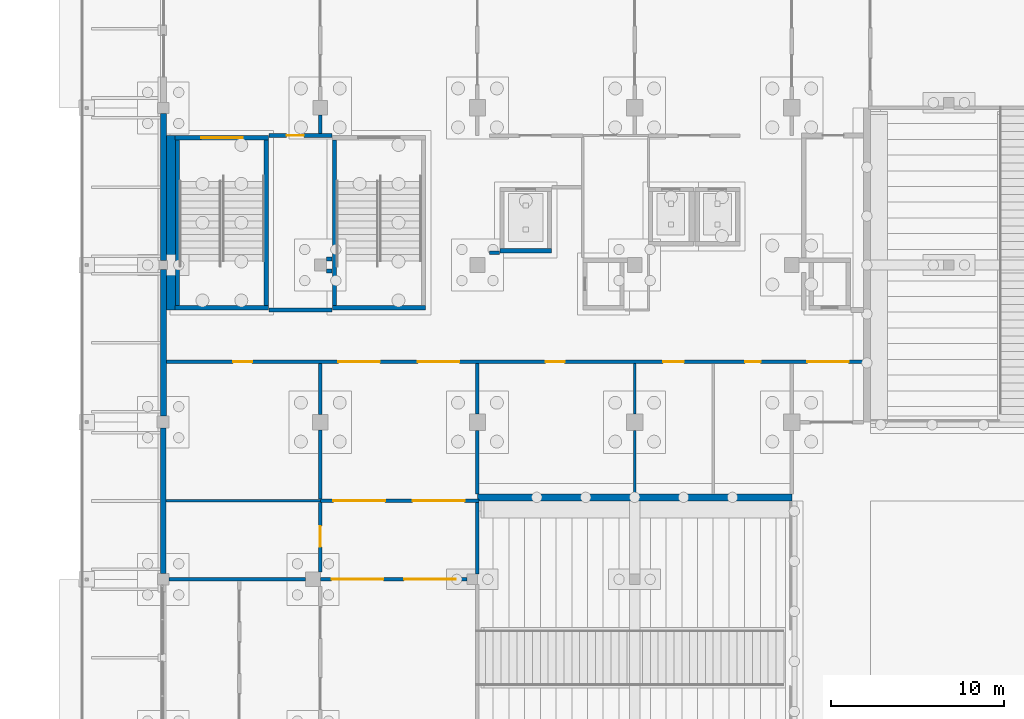
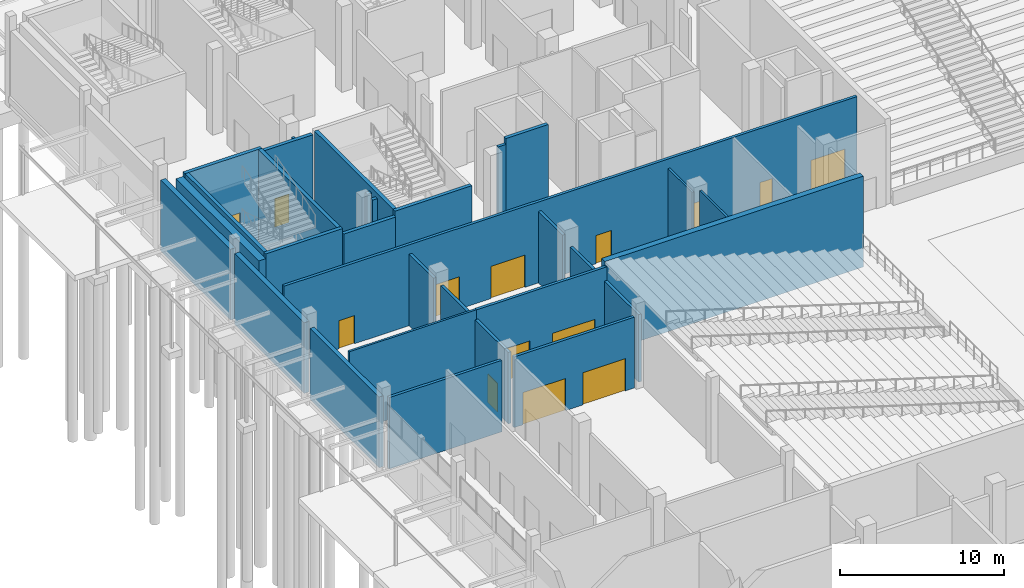
# One storey, part 76 of 129: 31 walls, 14 doors, 14 openings.
"""IFC4 building model written with IfcOpenShell, lengths in metres."""

import ifcopenshell
import ifcopenshell.guid

model = None  # the IFC model being written
_history = None  # IfcOwnerHistory: only IFC2X3 demands one
_inside = {}  # id of a spatial element -> (the spatial element, [elements in it])
_under = {}  # id of a project, library or spatial element -> (it, [spatial elements below it])
_declared = {}  # id of a project -> (the project, [libraries it declares])
_typed = {}  # id of a type object -> (the type object, [elements of that type])
_made_of = {}  # id of a material, layer set ... -> (it, [elements and type objects made of it])


def new_model(schema):
    """Start an empty IFC model of exactly this schema.

    Asked for "IFC4X3", IfcOpenShell would pick the latest addendum, in which some entities
    have other attributes; the version numbers below select the first issue.
    IFC2X3 requires an IfcOwnerHistory on every rooted entity: one is made here for all.
    """
    global model, _history
    if schema == "IFC4X3":
        model = ifcopenshell.file(schema_version=(4, 3, 0, 0))
    else:
        model = ifcopenshell.file(schema=schema)
    _inside.clear()
    _under.clear()
    _declared.clear()
    _typed.clear()
    _made_of.clear()
    _history = None
    if model.schema == "IFC2X3":
        org = make("IfcOrganization", Name="unknown")
        user = make(
            "IfcPersonAndOrganization",
            ThePerson=make("IfcPerson", FamilyName="unknown"),
            TheOrganization=org,
        )
        app = make(
            "IfcApplication",
            ApplicationDeveloper=org,
            Version="unknown",
            ApplicationFullName="unknown",
            ApplicationIdentifier="unknown",
        )
        _history = make(
            "IfcOwnerHistory",
            OwningUser=user,
            OwningApplication=app,
            ChangeAction="ADDED",
            CreationDate=0,
        )
    return model


def make(cls, **values):
    """One entity of the class cls with the attributes given. An attribute that is None is left unset."""
    return model.create_entity(
        cls, **{name: value for name, value in values.items() if value is not None}
    )


def rooted(cls, **values):
    """An entity with a GlobalId (a new one), such as an element, a storey or a relation."""
    return make(cls, GlobalId=ifcopenshell.guid.new(), OwnerHistory=_history, **values)


def si_unit(unit_type, name, prefix=None):
    """IfcSIUnit, for example si_unit("LENGTHUNIT", "METRE", prefix="MILLI")."""
    return make("IfcSIUnit", UnitType=unit_type, Prefix=prefix, Name=name)


def assignment(units):
    """IfcUnitAssignment: the units of a project."""
    return None if units is None else make("IfcUnitAssignment", Units=units)


def point(xyz):
    """IfcCartesianPoint."""
    return None if xyz is None else make("IfcCartesianPoint", Coordinates=xyz)


def direction(xyz):
    """IfcDirection."""
    return None if xyz is None else make("IfcDirection", DirectionRatios=xyz)


def frame(location, z_axis=None, x_axis=None):
    """IfcAxis2Placement3D, a coordinate frame: its origin and axes. An axis left out is left unset."""
    return make(
        "IfcAxis2Placement3D",
        Location=point(location),
        Axis=direction(z_axis),
        RefDirection=direction(x_axis),
    )


def frame_2d(location, x_axis=None):
    """IfcAxis2Placement2D, a coordinate frame in the plane: its origin and x axis."""
    return make(
        "IfcAxis2Placement2D", Location=point(location), RefDirection=direction(x_axis)
    )


def origin():
    """The frame at (0, 0, 0) with its axes left unset."""
    return frame((0.0, 0.0, 0.0))


def place(relative_to, where):
    """IfcLocalPlacement: puts the frame where relative to a parent placement (None: the world)."""
    return make(
        "IfcLocalPlacement", PlacementRelTo=relative_to, RelativePlacement=where
    )


def context(
    kind, dimensions, precision=None, world=None, true_north=None, identifier=None
):
    """IfcGeometricRepresentationContext, for example the 3D "Model" context."""
    return make(
        "IfcGeometricRepresentationContext",
        ContextIdentifier=identifier,
        ContextType=kind,
        CoordinateSpaceDimension=dimensions,
        Precision=precision,
        WorldCoordinateSystem=world,
        TrueNorth=true_north,
    )


def subcontext(parent, identifier, kind, view, scale=None):
    """IfcGeometricRepresentationSubContext, for example "Body" below "Model"."""
    return make(
        "IfcGeometricRepresentationSubContext",
        ContextIdentifier=identifier,
        ContextType=kind,
        ParentContext=parent,
        TargetScale=scale,
        TargetView=view,
    )


def project(units=None, contexts=None):
    """IfcProject with its units and contexts."""
    return rooted(
        "IfcProject",
        Name="project",
        RepresentationContexts=contexts,
        UnitsInContext=assignment(units),
    )


def spatial(cls, under=None, at=None, **own):
    """A site, building, storey or space (cls), placed at a placement, below another one or the project."""
    s = rooted(cls, ObjectPlacement=at, **own)
    if under is not None:
        _under.setdefault(under.id(), (under, []))[1].append(s)
    return s


def profile(cls, at=None, kind="AREA", **sizes):
    """A parametric profile (cls). Its sizes go by their IFC names, for example OverallWidth=200.0."""
    return make(cls, ProfileType=kind, Position=at, **sizes)


def rectangle(**sizes):
    """IfcRectangleProfileDef."""
    return profile("IfcRectangleProfileDef", **sizes)


def extrude(swept, where, along, depth):
    """IfcExtrudedAreaSolid: the profile swept, set in the frame where, extruded along a direction by depth."""
    return make(
        "IfcExtrudedAreaSolid",
        SweptArea=swept,
        Position=where,
        ExtrudedDirection=direction(along),
        Depth=depth,
    )


def shape(context_of_items, identifier, shape_type, items):
    """IfcShapeRepresentation: the items that make up one representation, for example the "Body"."""
    return make(
        "IfcShapeRepresentation",
        ContextOfItems=context_of_items,
        RepresentationIdentifier=identifier,
        RepresentationType=shape_type,
        Items=items,
    )


def material(Name=None, Category=None):
    """IfcMaterial."""
    return make("IfcMaterial", Name=Name, Category=Category)


def layer(
    of_material, thickness, ventilated=None, Name=None, Category=None, Priority=None
):
    """IfcMaterialLayer: one layer of a wall or slab, of a material (None: an air gap)."""
    return make(
        "IfcMaterialLayer",
        Material=of_material,
        LayerThickness=thickness,
        IsVentilated=ventilated,
        Name=Name,
        Category=Category,
        Priority=Priority,
    )


def layer_set(layers, Name=None):
    """IfcMaterialLayerSet."""
    return make("IfcMaterialLayerSet", MaterialLayers=layers, LayerSetName=Name)


def made_of(thing, what):
    """Note that an element or type object is made of a material, layer set ...; save() writes the relation."""
    if what is not None:
        _made_of.setdefault(what.id(), (what, []))[1].append(thing)
    return thing


def type_object(cls, material=None, **own):
    """A type object (cls), such as IfcWallType, which elements share."""
    return made_of(rooted(cls, **own), material)


def element(
    cls,
    number,
    at=None,
    inside=None,
    cuts=None,
    type_object=None,
    material=None,
    context=None,
    identifier="Body",
    shape_type=None,
    held_by="IfcProductDefinitionShape",
    body=None,
    shapes=None,
    **own,
):
    """One element of the class cls, such as IfcWall. Its Tag is "e" and its number.

    at: its placement. inside: the storey or other place that contains it. cuts: it is an
    opening in that element (IfcRelVoidsElement). A single representation is given by context,
    identifier, shape_type and body (its items); several are given by shapes. held_by: the class
    of the entity that holds the representations. save() writes the other relations.
    """
    e = rooted(cls, Tag="e%d" % number, ObjectPlacement=at, **own)
    if body is not None:
        shapes = [shape(context, identifier, shape_type, body)]
    if shapes is not None:
        e.Representation = make(held_by, Representations=shapes)
    if inside is not None:
        _inside.setdefault(inside.id(), (inside, []))[1].append(e)
    if cuts is not None:
        rooted(
            "IfcRelVoidsElement", RelatingBuildingElement=cuts, RelatedOpeningElement=e
        )
    if type_object is not None:
        _typed.setdefault(type_object.id(), (type_object, []))[1].append(e)
    return made_of(e, material)


def fill(opening, filler):
    """IfcRelFillsElement: the door or window that sits in an opening."""
    return rooted(
        "IfcRelFillsElement",
        RelatingOpeningElement=opening,
        RelatedBuildingElement=filler,
    )


def aggregate(whole, parts):
    """IfcRelAggregates: a whole, such as a stair, and the parts it consists of."""
    return rooted("IfcRelAggregates", RelatingObject=whole, RelatedObjects=parts)


def save(model, path):
    """Write the relations noted so far, then the file.

    IfcRelAggregates (storeys below a building ...), IfcRelContainedInSpatialStructure (elements
    in a storey), IfcRelDefinesByType, IfcRelAssociatesMaterial and IfcRelDeclares: one each for
    every whole, place, type object, material and project.
    """
    for whole, parts in _under.values():
        aggregate(whole, parts)
    for where, things in _inside.values():
        rooted(
            "IfcRelContainedInSpatialStructure",
            RelatedElements=things,
            RelatingStructure=where,
        )
    for kind, things in _typed.values():
        rooted("IfcRelDefinesByType", RelatedObjects=things, RelatingType=kind)
    for what, things in _made_of.values():
        rooted("IfcRelAssociatesMaterial", RelatedObjects=things, RelatingMaterial=what)
    for by, libraries in _declared.values():
        rooted("IfcRelDeclares", RelatingContext=by, RelatedDefinitions=libraries)
    model.write(path)


model = new_model("IFC4")

# Units and contexts
model_context = context("Model", 3, precision=1e-05, world=origin(), true_north=direction((0.0, 1.0)))
body_context = subcontext(model_context, "Body", "Model", "MODEL_VIEW")
ifc_project = project(units=[si_unit("LENGTHUNIT", "METRE"), si_unit("AREAUNIT", "SQUARE_METRE"), si_unit("VOLUMEUNIT", "CUBIC_METRE"), si_unit("PLANEANGLEUNIT", "RADIAN"), si_unit("MASSUNIT", "GRAM", prefix="KILO")], contexts=[model_context])

# Site, building, storey
site_placement = place(None, origin())
site = spatial("IfcSite", under=ifc_project, at=site_placement, CompositionType="ELEMENT")
building_placement = place(site_placement, origin())
building = spatial("IfcBuilding", under=site, at=building_placement, Name="Shirokan Park Arena", CompositionType="ELEMENT")
storey_placement = place(building_placement, origin())
storey = spatial("IfcBuildingStorey", under=building, at=storey_placement, Name="L00", CompositionType="ELEMENT", Elevation=0.0)

# Wall
ifc_material_1 = material(Name="Board-formed concrete C40/50", Category="concrete")
ifc_layer_1 = layer(ifc_material_1, 0.1201171875, Name="Board-formed concrete C40/50")
ifc_material_2 = material(Name="Mineral wool insulation")
ifc_layer_2 = layer(ifc_material_2, 0.10009765625, Name="Mineral wool insulation")
ifc_material_3 = material(Name="Concrete C35", Category="concrete")
ifc_layer_3 = layer(ifc_material_3, 0.080078125, Name="Concrete C35")
ifc_layer_set_1 = layer_set([ifc_layer_1, ifc_layer_2, ifc_layer_3], Name="Board-formed concrete C40/50 + Mineral wool insulation + Concrete C35")
wall_type_1 = type_object("IfcWallType", Name="Board-formed concrete base wall 300", PredefinedType="SOLIDWALL", material=ifc_layer_set_1)
wall_1_placement = place(storey_placement, frame((0.0, 72.449951171875, 0.0), z_axis=(0.0, 0.0, 1.0), x_axis=(0.0, -1.0, 0.0)))
element("IfcWall", 1, at=wall_1_placement, inside=storey, type_object=wall_type_1, Name="West facade wall bay 5 L00", PredefinedType="SOLIDWALL", context=body_context, shape_type="SweptSolid", body=[
    extrude(rectangle(XDim=8.425048828125, YDim=0.300048828125, at=frame_2d((4.21240234375, 0.0))), origin(), (0.0, 0.0, 1.0), 5.27001953125),
])

# Wall, opening, door
ifc_material_4 = material(Name="Plaster")
ifc_layer_4 = layer(ifc_material_4, 0.014892578125, Name="Plaster")
ifc_material_5 = material(Name="Concrete blockwork", Category="masonry")
ifc_layer_5 = layer(ifc_material_5, 0.219970703125, Name="Concrete blockwork 220")
ifc_layer_6 = layer(ifc_material_4, 0.014892578125, Name="Plaster")
ifc_layer_set_2 = layer_set([ifc_layer_4, ifc_layer_5, ifc_layer_6], Name="Plaster + Concrete blockwork 220")
wall_type_2 = type_object("IfcWallType", Name="Compartment wall 250", PredefinedType="SOLIDWALL", material=ifc_layer_set_2)
wall_2_placement = place(storey_placement, frame((6.1298828125, 89.39990234375, 0.0), z_axis=(0.0, 0.0, 1.0), x_axis=(1.0, 0.0, 0.0)))
wall_2 = element("IfcWall", 2, at=wall_2_placement, inside=storey, type_object=wall_type_2, Name="Compartment wall 250 L00", PredefinedType="SOLIDWALL", context=body_context, shape_type="SweptSolid", body=[
    extrude(rectangle(XDim=3.64013671875, YDim=0.25, at=frame_2d((1.820068359375, 0.0))), origin(), (0.0, 0.0, 1.0), 6.02001953125),
])
opening_1_placement = place(wall_2_placement, frame((1.02001953125, 0.0, 0.0)))
opening_1 = element("IfcOpeningElement", 3, at=opening_1_placement, cuts=wall_2, Name="Opening D-0020", PredefinedType="OPENING", context=body_context, shape_type="SweptSolid", body=[
    extrude(rectangle(XDim=1.0, YDim=2.10009765625, at=frame_2d((0.5, 1.050048828125))), frame((0.0, 0.135009765625, 0.0), z_axis=(0.0, -1.0, 0.0), x_axis=(1.0, 0.0, 0.0)), (0.0, 0.0, 1.0), 0.27001953125),
])
ifc_material_6 = material(Name="Timber door set, fire resisting", Category="wood")
door_type_1 = type_object("IfcDoorType", Name="Door 1000 x 2100", OperationType="SINGLE_SWING_LEFT", PredefinedType="DOOR", material=ifc_material_6)
door_1_placement = place(opening_1_placement, origin())
door_1 = element("IfcDoor", 4, at=door_1_placement, inside=storey, type_object=door_type_1, Name="Door to Kit Store 0.47 D-0020", OperationType="SINGLE_SWING_RIGHT", OverallHeight=2.10009765625, OverallWidth=1.0, PredefinedType="DOOR", context=body_context, shape_type="SweptSolid", body=[
    extrude(rectangle(XDim=1.0, YDim=2.10009765625, at=frame_2d((0.5, 1.050048828125))), frame((0.0, 0.02490234375, 0.0), z_axis=(0.0, -1.0, 0.0), x_axis=(1.0, 0.0, 0.0)), (0.0, 0.0, 1.0), 0.050048828125),
])
fill(opening_1, door_1)

# Walls
wall_3_placement = place(storey_placement, frame((9.449951171875, 81.550048828125, 0.0), z_axis=(0.0, 0.0, 1.0), x_axis=(1.0, 0.0, 0.0)))
element("IfcWall", 5, at=wall_3_placement, inside=storey, type_object=wall_type_2, Name="Compartment wall 250 L00", PredefinedType="SOLIDWALL", context=body_context, shape_type="SweptSolid", body=[
    extrude(rectangle(XDim=0.320068359375, YDim=0.25, at=frame_2d((0.16015625, 0.0))), origin(), (0.0, 0.0, 1.0), 6.02001953125),
])
wall_4_placement = place(storey_placement, frame((9.77001953125, 79.300048828125, 0.0), z_axis=(0.0, 0.0, 1.0), x_axis=(-1.0, 0.0, 0.0)))
element("IfcWall", 6, at=wall_4_placement, inside=storey, type_object=wall_type_2, Name="Compartment wall 250 L00", PredefinedType="SOLIDWALL", context=body_context, shape_type="SweptSolid", body=[
    extrude(rectangle(XDim=3.64013671875, YDim=0.25, at=frame_2d((1.820068359375, 0.0))), origin(), (0.0, 0.0, 1.0), 6.02001953125),
])
wall_5_placement = place(storey_placement, frame((9.77001953125, 82.25, 0.0), z_axis=(0.0, 0.0, 1.0), x_axis=(-1.0, 0.0, 0.0)))
element("IfcWall", 7, at=wall_5_placement, inside=storey, type_object=wall_type_2, Name="Compartment wall 250 L00", PredefinedType="SOLIDWALL", context=body_context, shape_type="SweptSolid", body=[
    extrude(rectangle(XDim=0.320068359375, YDim=0.25, at=frame_2d((0.16015625, 0.0))), origin(), (0.0, 0.0, 1.0), 6.02001953125),
])

# Wall, openings, doors
ifc_material_7 = material(Name="Gypsum board")
ifc_layer_7 = layer(ifc_material_7, 0.02490234375, Name="Gypsum board, two layers")
ifc_layer_8 = layer(ifc_material_2, 0.14990234375, Name="Mineral wool insulation")
ifc_layer_9 = layer(ifc_material_7, 0.02490234375, Name="Gypsum board, two layers")
ifc_layer_set_3 = layer_set([ifc_layer_7, ifc_layer_8, ifc_layer_9], Name="Gypsum board, two layers + Mineral wool insulation")
wall_type_3 = type_object("IfcWallType", Name="Corridor wall 200", PredefinedType="PARTITIONING", material=ifc_layer_set_3)
wall_6_placement = place(storey_placement, frame((0.199951171875, 76.300048828125, 0.0), z_axis=(0.0, 0.0, 1.0), x_axis=(1.0, 0.0, 0.0)))
wall_6 = element("IfcWall", 8, at=wall_6_placement, inside=storey, type_object=wall_type_3, Name="Corridor wall 200 L00", PredefinedType="PARTITIONING", context=body_context, shape_type="SweptSolid", body=[
    extrude(rectangle(XDim=40.35009765625, YDim=0.199951171875, at=frame_2d((20.175048828125, 0.0))), origin(), (0.0, 0.0, 1.0), 6.02001953125),
])
opening_2_placement = place(wall_6_placement, frame((3.85009765625, 0.0, 0.0)))
opening_2 = element("IfcOpeningElement", 9, at=opening_2_placement, cuts=wall_6, Name="Opening D-0023", PredefinedType="OPENING", context=body_context, shape_type="SweptSolid", body=[
    extrude(rectangle(XDim=1.10009765625, YDim=2.10009765625, at=frame_2d((0.550048828125, 1.050048828125))), frame((0.0, 0.10986328125, 0.0), z_axis=(0.0, -1.0, 0.0), x_axis=(1.0, 0.0, 0.0)), (0.0, 0.0, 1.0), 0.219970703125),
])
opening_3_placement = place(wall_6_placement, frame((21.949951171875, 0.0, 0.0)))
opening_3 = element("IfcOpeningElement", 10, at=opening_3_placement, cuts=wall_6, Name="Opening D-0024", PredefinedType="OPENING", context=body_context, shape_type="SweptSolid", body=[
    extrude(rectangle(XDim=1.10009765625, YDim=2.10009765625, at=frame_2d((0.550048828125, 1.050048828125))), frame((0.0, 0.10986328125, 0.0), z_axis=(0.0, -1.0, 0.0), x_axis=(1.0, 0.0, 0.0)), (0.0, 0.0, 1.0), 0.219970703125),
])
opening_4_placement = place(wall_6_placement, frame((28.75, 0.0, 0.0)))
opening_4 = element("IfcOpeningElement", 11, at=opening_4_placement, cuts=wall_6, Name="Opening D-0025", PredefinedType="OPENING", context=body_context, shape_type="SweptSolid", body=[
    extrude(rectangle(XDim=1.199951171875, YDim=2.10009765625, at=frame_2d((0.60009765625, 1.050048828125))), frame((0.0, 0.10986328125, 0.0), z_axis=(0.0, -1.0, 0.0), x_axis=(1.0, 0.0, 0.0)), (0.0, 0.0, 1.0), 0.219970703125),
])
opening_5_placement = place(wall_6_placement, frame((33.5, 0.0, 0.0)))
opening_5 = element("IfcOpeningElement", 12, at=opening_5_placement, cuts=wall_6, Name="Opening D-0026", PredefinedType="OPENING", context=body_context, shape_type="SweptSolid", body=[
    extrude(rectangle(XDim=0.89990234375, YDim=2.0, at=frame_2d((0.449951171875, 1.0))), frame((0.0, 0.10986328125, 0.0), z_axis=(0.0, -1.0, 0.0), x_axis=(1.0, 0.0, 0.0)), (0.0, 0.0, 1.0), 0.219970703125),
])
opening_6_placement = place(wall_6_placement, frame((14.550048828125, 0.0, 0.0)))
opening_6 = element("IfcOpeningElement", 13, at=opening_6_placement, cuts=wall_6, Name="Opening D-0087", PredefinedType="OPENING", context=body_context, shape_type="SweptSolid", body=[
    extrude(rectangle(XDim=2.39990234375, YDim=2.39990234375, at=frame_2d((1.199951171875, 1.199951171875))), frame((0.0, 0.10986328125, 0.0), z_axis=(0.0, -1.0, 0.0), x_axis=(1.0, 0.0, 0.0)), (0.0, 0.0, 1.0), 0.219970703125),
])
opening_7_placement = place(wall_6_placement, frame((9.949951171875, 0.0, 0.0)))
opening_7 = element("IfcOpeningElement", 14, at=opening_7_placement, cuts=wall_6, Name="Opening D-0088", PredefinedType="OPENING", context=body_context, shape_type="SweptSolid", body=[
    extrude(rectangle(XDim=2.39990234375, YDim=2.39990234375, at=frame_2d((1.199951171875, 1.199951171875))), frame((0.0, 0.10986328125, 0.0), z_axis=(0.0, -1.0, 0.0), x_axis=(1.0, 0.0, 0.0)), (0.0, 0.0, 1.0), 0.219970703125),
])
opening_8_placement = place(wall_6_placement, frame((37.10009765625, 0.0, 0.0)))
opening_8 = element("IfcOpeningElement", 15, at=opening_8_placement, cuts=wall_6, Name="Opening D-0089", PredefinedType="OPENING", context=body_context, shape_type="SweptSolid", body=[
    extrude(rectangle(XDim=2.39990234375, YDim=2.39990234375, at=frame_2d((1.199951171875, 1.199951171875))), frame((0.0, 0.10986328125, 0.0), z_axis=(0.0, -1.0, 0.0), x_axis=(1.0, 0.0, 0.0)), (0.0, 0.0, 1.0), 0.219970703125),
])
ifc_material_8 = material(Name="Steel door set, fire resisting", Category="steel")
door_type_2 = type_object("IfcDoorType", Name="Double door 2400 x 2400", OperationType="DOUBLE_DOOR_SINGLE_SWING", PredefinedType="DOOR", material=ifc_material_8)
door_2_placement = place(opening_6_placement, origin())
door_2 = element("IfcDoor", 16, at=door_2_placement, inside=storey, type_object=door_type_2, Name="Door between Service Corridor 4.0 and Concourse Link 4.0 D-0087", OperationType="DOUBLE_DOOR_SINGLE_SWING", OverallHeight=2.39990234375, OverallWidth=2.39990234375, PredefinedType="DOOR", context=body_context, shape_type="SweptSolid", body=[
    extrude(rectangle(XDim=2.39990234375, YDim=2.39990234375, at=frame_2d((1.199951171875, 1.199951171875))), frame((0.0, 0.02490234375, 0.0), z_axis=(0.0, -1.0, 0.0), x_axis=(1.0, 0.0, 0.0)), (0.0, 0.0, 1.0), 0.050048828125),
])
fill(opening_6, door_2)
door_3_placement = place(opening_7_placement, origin())
door_3 = element("IfcDoor", 17, at=door_3_placement, inside=storey, type_object=door_type_2, Name="Door between Service Corridor 4.0 and Concourse Link 4.0 D-0088", OperationType="DOUBLE_DOOR_SINGLE_SWING", OverallHeight=2.39990234375, OverallWidth=2.39990234375, PredefinedType="DOOR", context=body_context, shape_type="SweptSolid", body=[
    extrude(rectangle(XDim=2.39990234375, YDim=2.39990234375, at=frame_2d((1.199951171875, 1.199951171875))), frame((0.0, 0.02490234375, 0.0), z_axis=(0.0, -1.0, 0.0), x_axis=(1.0, 0.0, 0.0)), (0.0, 0.0, 1.0), 0.050048828125),
])
fill(opening_7, door_3)
door_4_placement = place(opening_8_placement, origin())
door_4 = element("IfcDoor", 18, at=door_4_placement, inside=storey, type_object=door_type_2, Name="Door between Service Corridor 4.0 and Team Corridor 4.0 D-0089", OperationType="DOUBLE_DOOR_SINGLE_SWING", OverallHeight=2.39990234375, OverallWidth=2.39990234375, PredefinedType="DOOR", context=body_context, shape_type="SweptSolid", body=[
    extrude(rectangle(XDim=2.39990234375, YDim=2.39990234375, at=frame_2d((1.199951171875, 1.199951171875))), frame((0.0, 0.02490234375, 0.0), z_axis=(0.0, -1.0, 0.0), x_axis=(1.0, 0.0, 0.0)), (0.0, 0.0, 1.0), 0.050048828125),
])
fill(opening_8, door_4)
door_type_3 = type_object("IfcDoorType", Name="Dressing room door 1100 x 2100", OperationType="SINGLE_SWING_LEFT", PredefinedType="DOOR", material=ifc_material_6)
door_5_placement = place(opening_2_placement, origin())
door_5 = element("IfcDoor", 19, at=door_5_placement, inside=storey, type_object=door_type_3, Name="Door to Home Team Dressing Room 0.41 D-0023", OperationType="SINGLE_SWING_LEFT", OverallHeight=2.10009765625, OverallWidth=1.10009765625, PredefinedType="DOOR", context=body_context, shape_type="SweptSolid", body=[
    extrude(rectangle(XDim=1.10009765625, YDim=2.10009765625, at=frame_2d((0.550048828125, 1.050048828125))), frame((0.0, 0.02490234375, 0.0), z_axis=(0.0, -1.0, 0.0), x_axis=(1.0, 0.0, 0.0)), (0.0, 0.0, 1.0), 0.050048828125),
])
fill(opening_2, door_5)
door_6_placement = place(opening_3_placement, origin())
door_6 = element("IfcDoor", 20, at=door_6_placement, inside=storey, type_object=door_type_3, Name="Door to Home Team Locker Room 0.42 D-0024", OperationType="SINGLE_SWING_LEFT", OverallHeight=2.10009765625, OverallWidth=1.10009765625, PredefinedType="DOOR", context=body_context, shape_type="SweptSolid", body=[
    extrude(rectangle(XDim=1.10009765625, YDim=2.10009765625, at=frame_2d((0.550048828125, 1.050048828125))), frame((0.0, 0.02490234375, 0.0), z_axis=(0.0, -1.0, 0.0), x_axis=(1.0, 0.0, 0.0)), (0.0, 0.0, 1.0), 0.050048828125),
])
fill(opening_3, door_6)
door_type_4 = type_object("IfcDoorType", Name="Medical room door 1200 x 2100", OperationType="SINGLE_SWING_LEFT", PredefinedType="DOOR", material=ifc_material_6)
door_7_placement = place(opening_4_placement, origin())
door_7 = element("IfcDoor", 21, at=door_7_placement, inside=storey, type_object=door_type_4, Name="Door to Home Team Medical Room 0.43 D-0025", OperationType="SINGLE_SWING_LEFT", OverallHeight=2.10009765625, OverallWidth=1.199951171875, PredefinedType="DOOR", context=body_context, shape_type="SweptSolid", body=[
    extrude(rectangle(XDim=1.199951171875, YDim=2.10009765625, at=frame_2d((0.60009765625, 1.050048828125))), frame((0.0, 0.02490234375, 0.0), z_axis=(0.0, -1.0, 0.0), x_axis=(1.0, 0.0, 0.0)), (0.0, 0.0, 1.0), 0.050048828125),
])
fill(opening_4, door_7)
door_type_5 = type_object("IfcDoorType", Name="Officials room door 900 x 2000", OperationType="SINGLE_SWING_LEFT", PredefinedType="DOOR", material=ifc_material_6)
door_8_placement = place(opening_5_placement, origin())
door_8 = element("IfcDoor", 22, at=door_8_placement, inside=storey, type_object=door_type_5, Name="Door to Match Officials Room 0.44 D-0026", OperationType="SINGLE_SWING_RIGHT", OverallHeight=2.0, OverallWidth=0.89990234375, PredefinedType="DOOR", context=body_context, shape_type="SweptSolid", body=[
    extrude(rectangle(XDim=0.89990234375, YDim=2.0, at=frame_2d((0.449951171875, 1.0))), frame((0.0, 0.02490234375, 0.0), z_axis=(0.0, -1.0, 0.0), x_axis=(1.0, 0.0, 0.0)), (0.0, 0.0, 1.0), 0.050048828125),
])
fill(opening_5, door_8)

# Wall
wall_7_placement = place(storey_placement, frame((0.324951171875, 63.699951171875, 0.0), z_axis=(0.0, 0.0, 1.0), x_axis=(1.0, 0.0, 0.0)))
element("IfcWall", 23, at=wall_7_placement, inside=storey, type_object=wall_type_3, Name="Corridor wall 200 L00", PredefinedType="PARTITIONING", context=body_context, shape_type="SweptSolid", body=[
    extrude(rectangle(XDim=7.925048828125, YDim=0.199951171875, at=frame_2d((3.96240234375, 0.0))), origin(), (0.0, 0.0, 1.0), 5.320068359375),
])

# Wall, opening, door
wall_8_placement = place(storey_placement, frame((9.10009765625, 64.125, 0.0), z_axis=(0.0, 0.0, 1.0), x_axis=(0.0, 1.0, 0.0)))
wall_8 = element("IfcWall", 24, at=wall_8_placement, inside=storey, type_object=wall_type_3, Name="Corridor wall 200 L00", PredefinedType="PARTITIONING", context=body_context, shape_type="SweptSolid", body=[
    extrude(rectangle(XDim=4.02490234375, YDim=0.199951171875, at=frame_2d((2.012451171875, 0.0))), origin(), (0.0, 0.0, 1.0), 5.320068359375),
])
opening_9_placement = place(wall_8_placement, frame((1.449951171875, 0.0, 0.0)))
opening_9 = element("IfcOpeningElement", 25, at=opening_9_placement, cuts=wall_8, Name="Opening D-0036", PredefinedType="OPENING", context=body_context, shape_type="SweptSolid", body=[
    extrude(rectangle(XDim=1.199951171875, YDim=2.10009765625, at=frame_2d((0.60009765625, 1.050048828125))), frame((0.0, 0.10986328125, 0.0), z_axis=(0.0, -1.0, 0.0), x_axis=(1.0, 0.0, 0.0)), (0.0, 0.0, 1.0), 0.219970703125),
])
door_9_placement = place(opening_9_placement, origin())
door_9 = element("IfcDoor", 26, at=door_9_placement, inside=storey, type_object=door_type_4, Name="Door to First Aid Room 0.42 D-0036", OperationType="SINGLE_SWING_LEFT", OverallHeight=2.10009765625, OverallWidth=1.199951171875, PredefinedType="DOOR", context=body_context, shape_type="SweptSolid", body=[
    extrude(rectangle(XDim=1.199951171875, YDim=2.10009765625, at=frame_2d((0.60009765625, 1.050048828125))), frame((0.0, 0.02490234375, 0.0), z_axis=(0.0, -1.0, 0.0), x_axis=(1.0, 0.0, 0.0)), (0.0, 0.0, 1.0), 0.050048828125),
])
fill(opening_9, door_9)

# Walls
wall_9_placement = place(storey_placement, frame((9.10009765625, 72.35009765625, 0.0), z_axis=(0.0, 0.0, 1.0), x_axis=(0.0, -1.0, 0.0)))
element("IfcWall", 27, at=wall_9_placement, inside=storey, type_object=wall_type_3, Name="Corridor wall 200 L00", PredefinedType="PARTITIONING", context=body_context, shape_type="SweptSolid", body=[
    extrude(rectangle(XDim=4.0, YDim=0.199951171875, at=frame_2d((2.0, 0.0))), origin(), (0.0, 0.0, 1.0), 5.320068359375),
])
wall_10_placement = place(storey_placement, frame((9.10009765625, 76.199951171875, 0.0), z_axis=(0.0, 0.0, 1.0), x_axis=(0.0, -1.0, 0.0)))
element("IfcWall", 28, at=wall_10_placement, inside=storey, type_object=wall_type_3, Name="Corridor wall 200 L00", PredefinedType="PARTITIONING", context=body_context, shape_type="SweptSolid", body=[
    extrude(rectangle(XDim=2.949951171875, YDim=0.199951171875, at=frame_2d((1.47509765625, 0.0))), origin(), (0.0, 0.0, 1.0), 5.320068359375),
])
wall_11_placement = place(storey_placement, frame((9.10009765625, 90.574951171875, 0.0), z_axis=(0.0, 0.0, 1.0), x_axis=(0.0, -1.0, 0.0)))
element("IfcWall", 29, at=wall_11_placement, inside=storey, type_object=wall_type_3, Name="Corridor wall 200 L00", PredefinedType="PARTITIONING", context=body_context, shape_type="SweptSolid", body=[
    extrude(rectangle(XDim=1.050048828125, YDim=0.199951171875, at=frame_2d((0.52490234375, 0.0))), origin(), (0.0, 0.0, 1.0), 5.320068359375),
])

# Wall, openings, doors
wall_12_placement = place(storey_placement, frame((17.60009765625, 63.699951171875, 0.0), z_axis=(0.0, 0.0, 1.0), x_axis=(-1.0, 0.0, 0.0)))
wall_12 = element("IfcWall", 30, at=wall_12_placement, inside=storey, type_object=wall_type_3, Name="Corridor wall 200 L00", PredefinedType="PARTITIONING", context=body_context, shape_type="SweptSolid", body=[
    extrude(rectangle(XDim=8.5, YDim=0.199951171875, at=frame_2d((4.25, 0.0))), origin(), (0.0, 0.0, 1.0), 5.27001953125),
])
opening_10_placement = place(wall_12_placement, frame((0.64990234375, 0.0, 0.0)))
opening_10 = element("IfcOpeningElement", 31, at=opening_10_placement, cuts=wall_12, Name="Opening D-0155", PredefinedType="OPENING", context=body_context, shape_type="SweptSolid", body=[
    extrude(rectangle(XDim=3.0, YDim=2.39990234375, at=frame_2d((1.5, 1.199951171875))), frame((0.0, 0.10986328125, 0.0), z_axis=(0.0, -1.0, 0.0), x_axis=(1.0, 0.0, 0.0)), (0.0, 0.0, 1.0), 0.219970703125),
])
opening_11_placement = place(wall_12_placement, frame((4.85009765625, 0.0, 0.0)))
opening_11 = element("IfcOpeningElement", 32, at=opening_11_placement, cuts=wall_12, Name="Opening D-0156", PredefinedType="OPENING", context=body_context, shape_type="SweptSolid", body=[
    extrude(rectangle(XDim=3.0, YDim=2.39990234375, at=frame_2d((1.5, 1.199951171875))), frame((0.0, 0.10986328125, 0.0), z_axis=(0.0, -1.0, 0.0), x_axis=(1.0, 0.0, 0.0)), (0.0, 0.0, 1.0), 0.219970703125),
])
ifc_material_9 = material(Name="Glazed steel door set, fire resisting", Category="steel")
door_type_6 = type_object("IfcDoorType", Name="Concourse door 3000 x 2400", OperationType="DOUBLE_DOOR_SINGLE_SWING", PredefinedType="DOOR", material=ifc_material_9)
door_10_placement = place(opening_10_placement, origin())
door_10 = element("IfcDoor", 33, at=door_10_placement, inside=storey, type_object=door_type_6, Name="Door between Entrance Concourse E3 and Ticket Hall North E3 D-0155", OperationType="DOUBLE_DOOR_SINGLE_SWING", OverallHeight=2.39990234375, OverallWidth=3.0, PredefinedType="DOOR", context=body_context, shape_type="SweptSolid", body=[
    extrude(rectangle(XDim=3.0, YDim=2.39990234375, at=frame_2d((1.5, 1.199951171875))), frame((0.0, 0.02490234375, 0.0), z_axis=(0.0, -1.0, 0.0), x_axis=(1.0, 0.0, 0.0)), (0.0, 0.0, 1.0), 0.050048828125),
])
fill(opening_10, door_10)
door_11_placement = place(opening_11_placement, origin())
door_11 = element("IfcDoor", 34, at=door_11_placement, inside=storey, type_object=door_type_6, Name="Door between Entrance Concourse E3 and Ticket Hall North E3 D-0156", OperationType="DOUBLE_DOOR_SINGLE_SWING", OverallHeight=2.39990234375, OverallWidth=3.0, PredefinedType="DOOR", context=body_context, shape_type="SweptSolid", body=[
    extrude(rectangle(XDim=3.0, YDim=2.39990234375, at=frame_2d((1.5, 1.199951171875))), frame((0.0, 0.02490234375, 0.0), z_axis=(0.0, -1.0, 0.0), x_axis=(1.0, 0.0, 0.0)), (0.0, 0.0, 1.0), 0.050048828125),
])
fill(opening_11, door_11)

# Walls
wall_13_placement = place(storey_placement, frame((18.199951171875, 68.14990234375, 0.0), z_axis=(0.0, 0.0, 1.0), x_axis=(0.0, -1.0, 0.0)))
element("IfcWall", 35, at=wall_13_placement, inside=storey, type_object=wall_type_3, Name="Corridor wall 200 L00", PredefinedType="PARTITIONING", context=body_context, shape_type="SweptSolid", body=[
    extrude(rectangle(XDim=4.14990234375, YDim=0.199951171875, at=frame_2d((2.074951171875, 0.0))), origin(), (0.0, 0.0, 1.0), 5.02001953125),
])
wall_14_placement = place(storey_placement, frame((18.199951171875, 68.64990234375, 0.0), z_axis=(0.0, 0.0, 1.0), x_axis=(0.0, 1.0, 0.0)))
element("IfcWall", 36, at=wall_14_placement, inside=storey, type_object=wall_type_3, Name="Corridor wall 200 L00", PredefinedType="PARTITIONING", context=body_context, shape_type="SweptSolid", body=[
    extrude(rectangle(XDim=3.675048828125, YDim=0.199951171875, at=frame_2d((1.83740234375, 0.0))), origin(), (0.0, 0.0, 1.0), 5.02001953125),
])
wall_15_placement = place(storey_placement, frame((18.199951171875, 73.27490234375, 0.0), z_axis=(0.0, 0.0, 1.0), x_axis=(0.0, 1.0, 0.0)))
element("IfcWall", 37, at=wall_15_placement, inside=storey, type_object=wall_type_3, Name="Corridor wall 200 L00", PredefinedType="PARTITIONING", context=body_context, shape_type="SweptSolid", body=[
    extrude(rectangle(XDim=2.925048828125, YDim=0.199951171875, at=frame_2d((1.46240234375, 0.0))), origin(), (0.0, 0.0, 1.0), 5.320068359375),
])

# Wall, openings, doors
wall_16_placement = place(storey_placement, frame((18.300048828125, 68.25, 0.0), z_axis=(0.0, 0.0, 1.0), x_axis=(-1.0, 0.0, 0.0)))
wall_16 = element("IfcWall", 38, at=wall_16_placement, inside=storey, type_object=wall_type_3, Name="Corridor wall 200 L00", PredefinedType="PARTITIONING", context=body_context, shape_type="SweptSolid", body=[
    extrude(rectangle(XDim=9.199951171875, YDim=0.199951171875, at=frame_2d((4.60009765625, 0.0))), origin(), (0.0, 0.0, 1.0), 6.02001953125),
])
opening_12_placement = place(wall_16_placement, frame((0.85009765625, 0.0, 0.0)))
opening_12 = element("IfcOpeningElement", 39, at=opening_12_placement, cuts=wall_16, Name="Opening D-0103", PredefinedType="OPENING", context=body_context, shape_type="SweptSolid", body=[
    extrude(rectangle(XDim=3.0, YDim=2.39990234375, at=frame_2d((1.5, 1.199951171875))), frame((0.0, 0.10986328125, 0.0), z_axis=(0.0, -1.0, 0.0), x_axis=(1.0, 0.0, 0.0)), (0.0, 0.0, 1.0), 0.219970703125),
])
opening_13_placement = place(wall_16_placement, frame((5.449951171875, 0.0, 0.0)))
opening_13 = element("IfcOpeningElement", 40, at=opening_13_placement, cuts=wall_16, Name="Opening D-0104", PredefinedType="OPENING", context=body_context, shape_type="SweptSolid", body=[
    extrude(rectangle(XDim=3.0, YDim=2.39990234375, at=frame_2d((1.5, 1.199951171875))), frame((0.0, 0.10986328125, 0.0), z_axis=(0.0, -1.0, 0.0), x_axis=(1.0, 0.0, 0.0)), (0.0, 0.0, 1.0), 0.219970703125),
])
door_12_placement = place(opening_12_placement, origin())
door_12 = element("IfcDoor", 41, at=door_12_placement, inside=storey, type_object=door_type_6, Name="Door between Concourse Link 4.0 and Ticket Hall North E3 D-0103", OperationType="DOUBLE_DOOR_SINGLE_SWING", OverallHeight=2.39990234375, OverallWidth=3.0, PredefinedType="DOOR", context=body_context, shape_type="SweptSolid", body=[
    extrude(rectangle(XDim=3.0, YDim=2.39990234375, at=frame_2d((1.5, 1.199951171875))), frame((0.0, 0.02490234375, 0.0), z_axis=(0.0, -1.0, 0.0), x_axis=(1.0, 0.0, 0.0)), (0.0, 0.0, 1.0), 0.050048828125),
])
fill(opening_12, door_12)
door_13_placement = place(opening_13_placement, origin())
door_13 = element("IfcDoor", 42, at=door_13_placement, inside=storey, type_object=door_type_6, Name="Door between Concourse Link 4.0 and Ticket Hall North E3 D-0104", OperationType="DOUBLE_DOOR_SINGLE_SWING", OverallHeight=2.39990234375, OverallWidth=3.0, PredefinedType="DOOR", context=body_context, shape_type="SweptSolid", body=[
    extrude(rectangle(XDim=3.0, YDim=2.39990234375, at=frame_2d((1.5, 1.199951171875))), frame((0.0, 0.02490234375, 0.0), z_axis=(0.0, -1.0, 0.0), x_axis=(1.0, 0.0, 0.0)), (0.0, 0.0, 1.0), 0.050048828125),
])
fill(opening_13, door_13)

# Walls
wall_17_placement = place(storey_placement, frame((19.469970703125, 82.60009765625, 0.0), z_axis=(0.0, 0.0, 1.0), x_axis=(-1.0, 0.0, 0.0)))
element("IfcWall", 43, at=wall_17_placement, inside=storey, type_object=wall_type_3, Name="Corridor wall 200 L00", PredefinedType="PARTITIONING", context=body_context, shape_type="SweptSolid", body=[
    extrude(rectangle(XDim=0.570068359375, YDim=0.199951171875, at=frame_2d((0.28515625, 0.0))), origin(), (0.0, 0.0, 1.0), 6.02001953125),
])
ifc_material_10 = material(Name="Cedar cladding")
ifc_layer_10 = layer(ifc_material_10, 0.030029296875, Name="Cedar cladding")
ifc_layer_11 = layer(ifc_material_2, 0.10009765625, Name="Mineral wool insulation")
ifc_layer_12 = layer(ifc_material_3, 0.199951171875, Name="Concrete C35")
ifc_material_11 = material(Name="Gypsum board lining")
ifc_layer_13 = layer(ifc_material_11, 0.02001953125, Name="Gypsum board lining")
ifc_layer_set_4 = layer_set([ifc_layer_10, ifc_layer_11, ifc_layer_12, ifc_layer_13], Name="Cedar cladding + Mineral wool insulation + Concrete C35 + Gypsum board lining")
wall_type_4 = type_object("IfcWallType", Name="Insulated tower wall 350", PredefinedType="SOLIDWALL", material=ifc_layer_set_4)
wall_18_placement = place(storey_placement, frame((0.02490234375, 90.675048828125, 0.0), z_axis=(0.0, 0.0, 1.0), x_axis=(0.0, -1.0, 0.0)))
element("IfcWall", 44, at=wall_18_placement, inside=storey, type_object=wall_type_4, Name="West facade wall bay 3 L00", PredefinedType="SOLIDWALL", context=body_context, shape_type="SweptSolid", body=[
    extrude(rectangle(XDim=8.525146484375, YDim=0.35009765625, at=frame_2d((4.2626953125, 0.0))), origin(), (0.0, 0.0, 1.0), 5.27001953125),
])
wall_19_placement = place(storey_placement, frame((0.02490234375, 81.64990234375, 0.0), z_axis=(0.0, 0.0, 1.0), x_axis=(0.0, -1.0, 0.0)))
element("IfcWall", 45, at=wall_19_placement, inside=storey, type_object=wall_type_4, Name="West facade wall bay 4 L00", PredefinedType="SOLIDWALL", context=body_context, shape_type="SweptSolid", body=[
    extrude(rectangle(XDim=8.5, YDim=0.35009765625, at=frame_2d((4.25, 0.0))), origin(), (0.0, 0.0, 1.0), 5.27001953125),
])
ifc_layer_14 = layer(ifc_material_3, 0.39990234375)
ifc_layer_set_5 = layer_set([ifc_layer_14], Name="Concrete C35 400 mm")
wall_type_5 = type_object("IfcWallType", Name="RC flank wall 400", PredefinedType="SHEAR", material=ifc_layer_set_5)
wall_20_placement = place(storey_placement, frame((36.39990234375, 68.449951171875, -0.39990234375), z_axis=(0.0, 0.0, 1.0), x_axis=(-1.0, 0.0, 0.0)))
element("IfcWall", 46, at=wall_20_placement, inside=storey, type_object=wall_type_5, Name="Flank wall W2 L00", PredefinedType="SHEAR", context=body_context, shape_type="SweptSolid", body=[
    extrude(rectangle(XDim=18.199951171875, YDim=0.39990234375, at=frame_2d((9.10009765625, 0.0))), origin(), (0.0, 0.0, 1.0), 6.77001953125),
])
ifc_material_12 = material(Name="Concrete C40/50", Category="concrete")
ifc_layer_15 = layer(ifc_material_12, 0.25)
ifc_layer_set_6 = layer_set([ifc_layer_15], Name="Concrete C40/50 250 mm")
wall_type_6 = type_object("IfcWallType", Name="RC shear wall 250", PredefinedType="SHEAR", material=ifc_layer_set_6)
wall_21_placement = place(storey_placement, frame((22.5, 82.72509765625, -1.39990234375), z_axis=(0.0, 0.0, 1.0), x_axis=(-1.0, 0.0, 0.0)))
element("IfcWall", 47, at=wall_21_placement, inside=storey, type_object=wall_type_6, Name="Shaft wall Service Lift 4 S L00", PredefinedType="SHEAR", context=body_context, shape_type="SweptSolid", body=[
    extrude(rectangle(XDim=3.0, YDim=0.25, at=frame_2d((1.5, 0.0))), origin(), (0.0, 0.0, 1.0), 7.77001953125),
])
wall_22_placement = place(storey_placement, frame((6.10009765625, 79.425048828125, -0.39990234375), z_axis=(0.0, 0.0, 1.0), x_axis=(-1.0, 0.0, 0.0)))
element("IfcWall", 48, at=wall_22_placement, inside=storey, type_object=wall_type_6, Name="Shaft wall Exit Stair 4.E S L00", PredefinedType="SHEAR", context=body_context, shape_type="SweptSolid", body=[
    extrude(rectangle(XDim=5.400146484375, YDim=0.25, at=frame_2d((2.7001953125, 0.0))), origin(), (0.0, 0.0, 1.0), 6.77001953125),
])

# Wall, opening, door
wall_23_placement = place(storey_placement, frame((6.10009765625, 89.27490234375, -0.39990234375), z_axis=(0.0, 0.0, 1.0), x_axis=(-1.0, 0.0, 0.0)))
wall_23 = element("IfcWall", 49, at=wall_23_placement, inside=storey, type_object=wall_type_6, Name="Shaft wall Exit Stair 4.E N L00", PredefinedType="SHEAR", context=body_context, shape_type="SweptSolid", body=[
    extrude(rectangle(XDim=5.400146484375, YDim=0.25, at=frame_2d((2.7001953125, 0.0))), origin(), (0.0, 0.0, 1.0), 6.77001953125),
])
opening_14_placement = place(wall_23_placement, frame((1.5, 0.0, 0.39990234375)))
opening_14 = element("IfcOpeningElement", 50, at=opening_14_placement, cuts=wall_23, Name="Opening D-0186", PredefinedType="OPENING", context=body_context, shape_type="SweptSolid", body=[
    extrude(rectangle(XDim=2.39990234375, YDim=2.10009765625, at=frame_2d((1.199951171875, 1.050048828125))), frame((0.0, 0.135009765625, 0.0), z_axis=(0.0, -1.0, 0.0), x_axis=(1.0, 0.0, 0.0)), (0.0, 0.0, 1.0), 0.27001953125),
])
door_type_7 = type_object("IfcDoorType", Name="Stair door 2400 x 2100", OperationType="DOUBLE_DOOR_SINGLE_SWING", PredefinedType="DOOR", material=ifc_material_8)
door_14_placement = place(opening_14_placement, origin())
door_14 = element("IfcDoor", 51, at=door_14_placement, inside=storey, type_object=door_type_7, Name="Stair door Exit Stair 4.E D-0186", OperationType="DOUBLE_DOOR_SINGLE_SWING", OverallHeight=2.10009765625, OverallWidth=2.39990234375, PredefinedType="DOOR", context=body_context, shape_type="SweptSolid", body=[
    extrude(rectangle(XDim=2.39990234375, YDim=2.10009765625, at=frame_2d((1.199951171875, 1.050048828125))), frame((0.0, 0.02490234375, 0.0), z_axis=(0.0, -1.0, 0.0), x_axis=(1.0, 0.0, 0.0)), (0.0, 0.0, 1.0), 0.050048828125),
])
fill(opening_14, door_14)

# Walls
for number, where, z_axis, x_axis, name in (
    (52, (0.824951171875, 89.14990234375, -0.39990234375), (0.0, 0.0, 1.0), (0.0, -1.0, 0.0), "Shaft wall Exit Stair 4.E W L00"),
    (53, (5.97509765625, 89.14990234375, -0.39990234375), (0.0, 0.0, 1.0), (0.0, -1.0, 0.0), "Shaft wall Exit Stair 4.E E L00"),
):
    element("IfcWall", number, at=place(storey_placement, frame(where, z_axis=z_axis, x_axis=x_axis)), inside=storey, type_object=wall_type_6, Name=name, PredefinedType="SHEAR", context=body_context, shape_type="SweptSolid", body=[
        extrude(rectangle(XDim=9.599853515625, YDim=0.25, at=frame_2d((4.7998046875, 0.0))), origin(), (0.0, 0.0, 1.0), 6.77001953125),
    ])
wall_24_placement = place(storey_placement, frame((15.199951171875, 79.425048828125, -0.39990234375), z_axis=(0.0, 0.0, 1.0), x_axis=(-1.0, 0.0, 0.0)))
element("IfcWall", 54, at=wall_24_placement, inside=storey, type_object=wall_type_6, Name="Shaft wall Exit Stair 4.F S L00", PredefinedType="SHEAR", context=body_context, shape_type="SweptSolid", body=[
    extrude(rectangle(XDim=5.39990234375, YDim=0.25, at=frame_2d((2.699951171875, 0.0))), origin(), (0.0, 0.0, 1.0), 6.77001953125),
])
wall_25_placement = place(storey_placement, frame((9.925048828125, 89.14990234375, -0.39990234375), z_axis=(0.0, 0.0, 1.0), x_axis=(0.0, -1.0, 0.0)))
element("IfcWall", 55, at=wall_25_placement, inside=storey, type_object=wall_type_6, Name="Shaft wall Exit Stair 4.F W L00", PredefinedType="SHEAR", context=body_context, shape_type="SweptSolid", body=[
    extrude(rectangle(XDim=9.599853515625, YDim=0.25, at=frame_2d((4.7998046875, 0.0))), origin(), (0.0, 0.0, 1.0), 6.77001953125),
])
ifc_layer_16 = layer(ifc_material_7, 0.012451171875, Name="Gypsum board")
ifc_layer_17 = layer(ifc_material_2, 0.125, Name="Mineral wool insulation")
ifc_layer_18 = layer(ifc_material_7, 0.012451171875, Name="Gypsum board")
ifc_layer_set_7 = layer_set([ifc_layer_16, ifc_layer_17, ifc_layer_18], Name="Gypsum board + Mineral wool insulation")
wall_type_7 = type_object("IfcWallType", Name="Room partition 150", PredefinedType="PARTITIONING", material=ifc_layer_set_7)
wall_26_placement = place(storey_placement, frame((9.10009765625, 68.25, 0.0), z_axis=(0.0, 0.0, 1.0), x_axis=(-1.0, 0.0, 0.0)))
element("IfcWall", 56, at=wall_26_placement, inside=storey, type_object=wall_type_7, Name="Room partition 150 L00", PredefinedType="PARTITIONING", context=body_context, shape_type="SweptSolid", body=[
    extrude(rectangle(XDim=8.9501953125, YDim=0.14990234375, at=frame_2d((4.47509765625, 0.0))), origin(), (0.0, 0.0, 1.0), 6.02001953125),
])
wall_27_placement = place(storey_placement, frame((27.300048828125, 72.324951171875, 0.0), z_axis=(0.0, 0.0, 1.0), x_axis=(0.0, -1.0, 0.0)))
element("IfcWall", 57, at=wall_27_placement, inside=storey, type_object=wall_type_7, Name="Room partition 150 L00", PredefinedType="PARTITIONING", context=body_context, shape_type="SweptSolid", body=[
    extrude(rectangle(XDim=3.675048828125, YDim=0.14990234375, at=frame_2d((1.83740234375, 0.0))), origin(), (0.0, 0.0, 1.0), 6.02001953125),
])
wall_28_placement = place(storey_placement, frame((27.300048828125, 76.199951171875, 0.0), z_axis=(0.0, 0.0, 1.0), x_axis=(0.0, -1.0, 0.0)))
element("IfcWall", 58, at=wall_28_placement, inside=storey, type_object=wall_type_7, Name="Room partition 150 L00", PredefinedType="PARTITIONING", context=body_context, shape_type="SweptSolid", body=[
    extrude(rectangle(XDim=2.925048828125, YDim=0.14990234375, at=frame_2d((1.46240234375, 0.0))), origin(), (0.0, 0.0, 1.0), 5.320068359375),
])
ifc_layer_19 = layer(ifc_material_3, 0.5)
ifc_layer_set_8 = layer_set([ifc_layer_19], Name="Concrete C35 500 mm")
wall_type_8 = type_object("IfcWallType", Name="Shaft infill wall 500", PredefinedType="SOLIDWALL", material=ifc_layer_set_8)
wall_29_placement = place(storey_placement, frame((0.449951171875, 79.300048828125, 0.0), z_axis=(0.0, 0.0, 1.0), x_axis=(0.0, 1.0, 0.0)))
element("IfcWall", 59, at=wall_29_placement, inside=storey, type_object=wall_type_8, Name="Shaft infill wall L00", PredefinedType="SOLIDWALL", context=body_context, shape_type="SweptSolid", body=[
    extrude(rectangle(XDim=10.099853515625, YDim=0.5, at=frame_2d((5.0498046875, 0.0))), origin(), (0.0, 0.0, 1.0), 6.02001953125),
])

save(model, "model.ifc")
